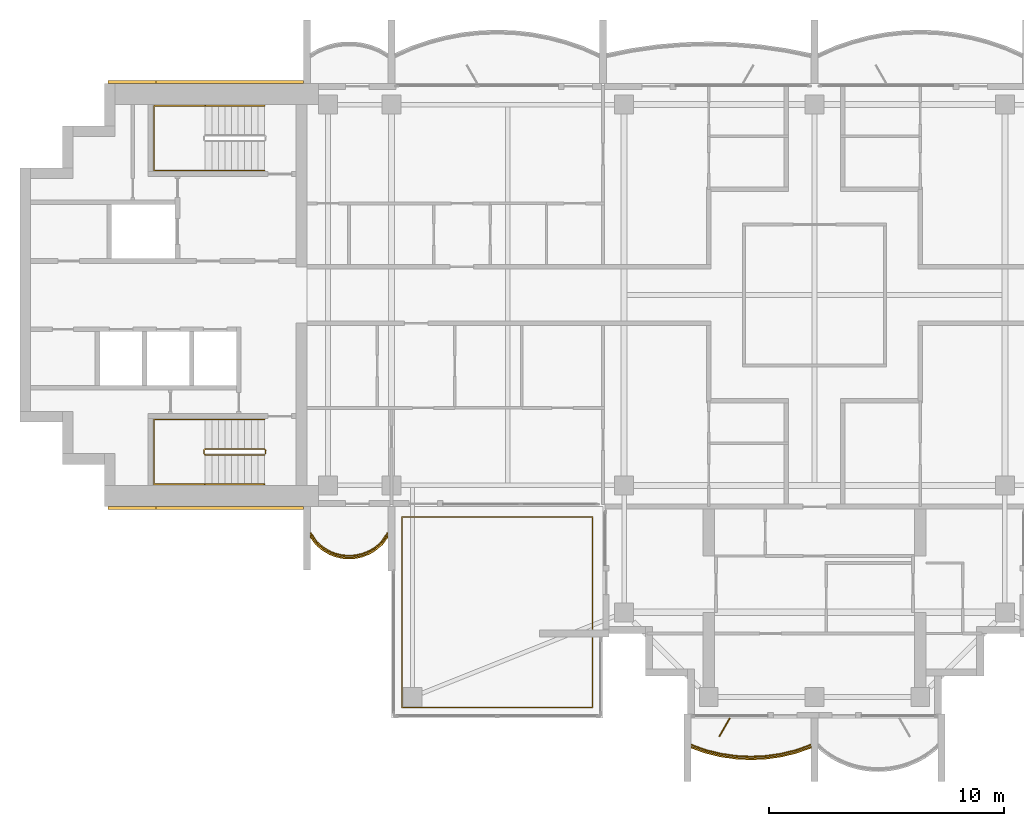
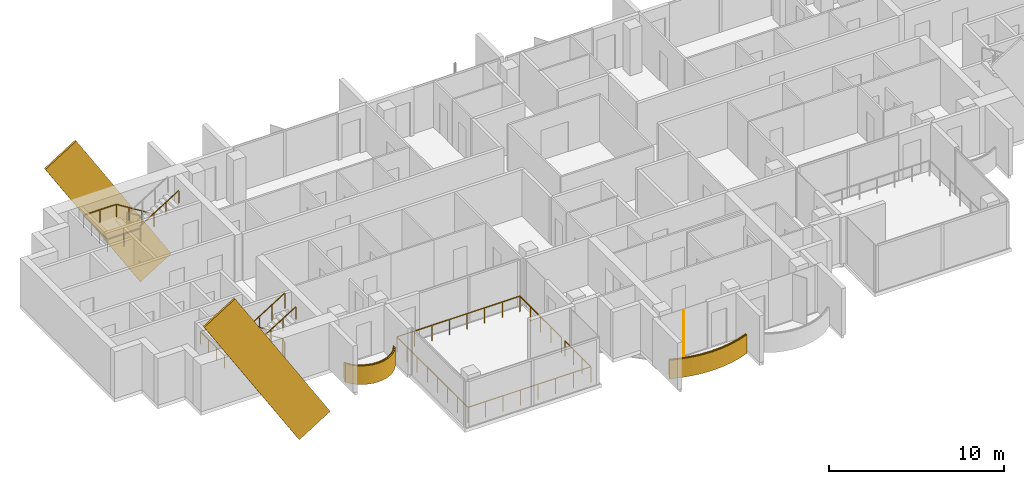
# One storey, part 13 of 16: 6 railings, 4 coverings, 1 shading device.
"""IFC4 building model written with IfcOpenShell, lengths in metres."""

from ifc_helpers import new_model, si_unit, direction, frame, origin, origin_2d, place, context, subcontext, project, spatial, polyline, rectangle, outline, extrude, material, layer, layer_set, material_profile, profile_set, type_object, element, save


model = new_model("IFC4")

# Units and contexts
model_context = context("Model", 3, precision=1e-05, world=origin(), true_north=direction((0.0, 1.0)))
body_context = subcontext(model_context, "Body", "Model", "MODEL_VIEW")
ifc_project = project(units=[si_unit("LENGTHUNIT", "METRE"), si_unit("AREAUNIT", "SQUARE_METRE"), si_unit("VOLUMEUNIT", "CUBIC_METRE"), si_unit("PLANEANGLEUNIT", "RADIAN"), si_unit("MASSUNIT", "GRAM", prefix="KILO")], contexts=[model_context])

# Site, building, storey
site_placement = place(None, origin())
site = spatial("IfcSite", under=ifc_project, at=site_placement, CompositionType="ELEMENT")
building_placement = place(site_placement, origin())
building = spatial("IfcBuilding", under=site, at=building_placement, Name="Perihelion Cross Residences", CompositionType="ELEMENT")
storey_placement = place(building_placement, frame((0.0, 0.0, 260.5)))
storey = spatial("IfcBuildingStorey", under=building, at=storey_placement, Name="L66", CompositionType="ELEMENT", Elevation=260.5)

# Coverings
ifc_material_1 = material(Name="Bronze anodised aluminium", Category="aluminium")
ifc_layer_1 = layer(ifc_material_1, 0.070068359375)
ifc_layer_set_1 = layer_set([ifc_layer_1], Name="Balcony fascia 1300")
covering_type_1 = type_object("IfcCoveringType", Name="Balcony fascia 1300", PredefinedType="CLADDING", material=ifc_layer_set_1)
covering_1_placement = place(storey_placement, frame((0.0, 0.0, -0.199951171875)))
element("IfcCovering", 1, at=covering_1_placement, inside=storey, type_object=covering_type_1, Name="Fascia BF1 L66 west side south bay 1", PredefinedType="CLADDING", context=body_context, shape_type="SweptSolid", body=[
    extrude(outline(polyline([(-21.226318359375, -10.616455078125), (-20.94091796875, -10.86328125), (-20.655517578125, -11.031494140625), (-20.370361328125, -11.142578125), (-20.085205078125, -11.206298828125), (-19.800048828125, -11.22705078125), (-19.514892578125, -11.206298828125), (-19.229736328125, -11.142578125), (-18.9443359375, -11.031494140625), (-18.6591796875, -10.86328125), (-18.373779296875, -10.616455078125), (-18.14990234375, -10.31689453125), (-18.14990234375, -10.199951171875), (-18.425048828125, -10.568603515625), (-18.699951171875, -10.806396484375), (-18.97509765625, -10.96875), (-19.25, -11.07568359375), (-19.52490234375, -11.136962890625), (-19.800048828125, -11.156982421875), (-20.074951171875, -11.136962890625), (-20.35009765625, -11.07568359375), (-20.625, -10.96875), (-20.89990234375, -10.806396484375), (-21.175048828125, -10.568603515625), (-21.449951171875, -10.199951171875), (-21.449951171875, -10.31689453125), (-21.226318359375, -10.616455078125)])), origin(), (0.0, 0.0, 1.0), 1.300048828125),
])
covering_2_placement = place(storey_placement, frame((0.0, 0.0, -0.199951171875)))
element("IfcCovering", 2, at=covering_2_placement, inside=storey, type_object=covering_type_1, Name="Fascia BF1 L66 south tip south bay 1", PredefinedType="CLADDING", context=body_context, shape_type="SweptSolid", body=[
    extrude(outline(polyline([(-4.63232421875, -19.49072265625), (-3.98828125, -19.647216796875), (-3.34423828125, -19.739501953125), (-2.699951171875, -19.77001953125), (-2.055908203125, -19.739501953125), (-1.411865234375, -19.647216796875), (-0.767578125, -19.49072265625), (-0.14990234375, -19.274169921875), (-0.14990234375, -19.199951171875), (-0.78759765625, -19.423583984375), (-1.425048828125, -19.57861328125), (-2.0625, -19.669921875), (-2.699951171875, -19.699951171875), (-3.33740234375, -19.669921875), (-3.97509765625, -19.57861328125), (-4.612548828125, -19.423583984375), (-5.25, -19.199951171875), (-5.25, -19.274169921875), (-4.63232421875, -19.49072265625)])), origin(), (0.0, 0.0, 1.0), 1.300048828125),
])

# Railings
ifc_material_2 = material(Name="Bronze anodised aluminium", Category="aluminium")
railing_type_1 = type_object("IfcRailingType", Name="Balcony guard 1100", PredefinedType="GUARDRAIL", material=ifc_material_2)
railing_1_placement = place(storey_placement, frame((-21.425048828125, -10.139892578125, 0.0)))
element("IfcRailing", 3, at=railing_1_placement, inside=storey, type_object=railing_type_1, Name="Guard GU1 L66 west side south bay 1 balcony", PredefinedType="GUARDRAIL", context=body_context, shape_type="SweptSolid", body=[
    extrude(rectangle(XDim=0.048095703125, YDim=0.048095703125, at=origin_2d()), frame((0.0, 0.0, 1.076171875), z_axis=(0.561260132269, -0.827639452857, 0.0), x_axis=(0.827639452857, 0.561260132269, 0.0)), (0.0, 0.0, 1.0), 0.4453125),
    extrude(rectangle(XDim=0.048095703125, YDim=0.048095703125, at=origin_2d()), frame((0.25, -0.36865234375, 1.076171875), z_axis=(0.756596535164, -0.653882009982, 0.0), x_axis=(0.653882009982, 0.756596535164, 0.0)), (0.0, 0.0, 1.0), 0.36376953125),
    extrude(rectangle(XDim=0.048095703125, YDim=0.048095703125, at=origin_2d()), frame((0.525146484375, -0.6064453125, 1.076171875), z_axis=(0.861048292884, -0.508523192511, 0.0), x_axis=(0.508523192511, 0.861048292884, 0.0)), (0.0, 0.0, 1.0), 0.3193359375),
    extrude(rectangle(XDim=0.048095703125, YDim=0.048095703125, at=origin_2d()), frame((0.800048828125, -0.768798828125, 1.076171875), z_axis=(0.931973602183, -0.362526143656, 0.0), x_axis=(0.362526143656, 0.931973602183, 0.0)), (0.0, 0.0, 1.0), 0.294921875),
    extrude(rectangle(XDim=0.048095703125, YDim=0.048095703125, at=origin_2d()), frame((1.074951171875, -0.875732421875, 1.076171875), z_axis=(0.976085059389, -0.21738895289, 0.0), x_axis=(0.21738895289, 0.976085059389, 0.0)), (0.0, 0.0, 1.0), 0.281982421875),
    extrude(rectangle(XDim=0.048095703125, YDim=0.048095703125, at=origin_2d()), frame((1.35009765625, -0.93701171875, 1.076171875), z_axis=(0.997358821833, -0.072631814734, 0.0), x_axis=(0.072631814734, 0.997358821833, 0.0)), (0.0, 0.0, 1.0), 0.275634765625),
    extrude(rectangle(XDim=0.048095703125, YDim=0.048095703125, at=origin_2d()), frame((1.625, -0.95703125, 1.076171875), z_axis=(0.997363488337, 0.072567707226, 0.0), x_axis=(-0.072567707226, 0.997363488337, 0.0)), (0.0, 0.0, 1.0), 0.27587890625),
    extrude(rectangle(XDim=0.048095703125, YDim=0.048095703125, at=origin_2d()), frame((1.900146484375, -0.93701171875, 1.076171875), z_axis=(0.976044077717, 0.217572880557, 0.0), x_axis=(-0.217572880557, 0.976044077717, 0.0)), (0.0, 0.0, 1.0), 0.28173828125),
    extrude(rectangle(XDim=0.048095703125, YDim=0.048095703125, at=origin_2d()), frame((2.175048828125, -0.875732421875, 1.076171875), z_axis=(0.931973602183, 0.362526143656, 0.0), x_axis=(-0.362526143656, 0.931973602183, 0.0)), (0.0, 0.0, 1.0), 0.294921875),
    extrude(rectangle(XDim=0.048095703125, YDim=0.048095703125, at=origin_2d()), frame((2.449951171875, -0.768798828125, 1.076171875), z_axis=(0.861245845072, 0.508188542123, 0.0), x_axis=(-0.508188542123, 0.861245845072, 0.0)), (0.0, 0.0, 1.0), 0.319580078125),
    extrude(rectangle(XDim=0.048095703125, YDim=0.048095703125, at=origin_2d()), frame((2.72509765625, -0.6064453125, 1.076171875), z_axis=(0.756309278473, 0.654214242658, 0.0), x_axis=(-0.654214242658, 0.756309278473, 0.0)), (0.0, 0.0, 1.0), 0.363525390625),
    extrude(rectangle(XDim=0.048095703125, YDim=0.048095703125, at=origin_2d()), frame((3.0, -0.36865234375, 1.076171875), z_axis=(0.561260132269, 0.827639452857, 0.0), x_axis=(-0.827639452857, 0.561260132269, 0.0)), (0.0, 0.0, 1.0), 0.4453125),
    extrude(rectangle(XDim=0.0419921875, YDim=0.0419921875, at=origin_2d()), origin(), (0.0, 0.0, 1.0), 1.052001953125),
    extrude(rectangle(XDim=0.0419921875, YDim=0.0419921875, at=origin_2d()), frame((0.25, -0.36865234375, 0.0)), (0.0, 0.0, 1.0), 1.052001953125),
    extrude(rectangle(XDim=0.0419921875, YDim=0.0419921875, at=origin_2d()), frame((0.525146484375, -0.6064453125, 0.0)), (0.0, 0.0, 1.0), 1.052001953125),
    extrude(rectangle(XDim=0.0419921875, YDim=0.0419921875, at=origin_2d()), frame((0.800048828125, -0.768798828125, 0.0)), (0.0, 0.0, 1.0), 1.052001953125),
    extrude(rectangle(XDim=0.0419921875, YDim=0.0419921875, at=origin_2d()), frame((1.074951171875, -0.875732421875, 0.0)), (0.0, 0.0, 1.0), 1.052001953125),
    extrude(rectangle(XDim=0.0419921875, YDim=0.0419921875, at=origin_2d()), frame((1.35009765625, -0.93701171875, 0.0)), (0.0, 0.0, 1.0), 1.052001953125),
    extrude(rectangle(XDim=0.0419921875, YDim=0.0419921875, at=origin_2d()), frame((1.625, -0.95703125, 0.0)), (0.0, 0.0, 1.0), 1.052001953125),
    extrude(rectangle(XDim=0.0419921875, YDim=0.0419921875, at=origin_2d()), frame((1.900146484375, -0.93701171875, 0.0)), (0.0, 0.0, 1.0), 1.052001953125),
    extrude(rectangle(XDim=0.0419921875, YDim=0.0419921875, at=origin_2d()), frame((2.175048828125, -0.875732421875, 0.0)), (0.0, 0.0, 1.0), 1.052001953125),
    extrude(rectangle(XDim=0.0419921875, YDim=0.0419921875, at=origin_2d()), frame((2.449951171875, -0.768798828125, 0.0)), (0.0, 0.0, 1.0), 1.052001953125),
    extrude(rectangle(XDim=0.0419921875, YDim=0.0419921875, at=origin_2d()), frame((2.72509765625, -0.6064453125, 0.0)), (0.0, 0.0, 1.0), 1.052001953125),
    extrude(rectangle(XDim=0.0419921875, YDim=0.0419921875, at=origin_2d()), frame((3.0, -0.36865234375, 0.0)), (0.0, 0.0, 1.0), 1.052001953125),
    extrude(rectangle(XDim=0.0419921875, YDim=0.0419921875, at=origin_2d()), frame((3.25, 0.0, 0.0)), (0.0, 0.0, 1.0), 1.052001953125),
])
railing_2_placement = place(storey_placement, frame((-5.22509765625, -19.139892578125, 0.0)))
element("IfcRailing", 4, at=railing_2_placement, inside=storey, type_object=railing_type_1, Name="Guard GU1 L66 south tip south bay 1 balcony", PredefinedType="GUARDRAIL", context=body_context, shape_type="SweptSolid", body=[
    extrude(rectangle(XDim=0.048095703125, YDim=0.048095703125, at=origin_2d()), frame((0.0, 0.0, 1.076171875), z_axis=(0.939355405384, -0.342945217749, 0.0), x_axis=(0.342945217749, 0.939355405384, 0.0)), (0.0, 0.0, 1.0), 0.652099609375),
    extrude(rectangle(XDim=0.048095703125, YDim=0.048095703125, at=origin_2d()), frame((0.612548828125, -0.2236328125, 1.076171875), z_axis=(0.971676841941, -0.236313594268, 0.0), x_axis=(0.236313594268, 0.971676841941, 0.0)), (0.0, 0.0, 1.0), 0.656005859375),
    extrude(rectangle(XDim=0.048095703125, YDim=0.048095703125, at=origin_2d()), frame((1.25, -0.378662109375, 1.076171875), z_axis=(0.989903964498, -0.141739694763, 0.0), x_axis=(0.141739694763, 0.989903964498, 0.0)), (0.0, 0.0, 1.0), 0.644287109375),
    extrude(rectangle(XDim=0.048095703125, YDim=0.048095703125, at=origin_2d()), frame((1.8876953125, -0.469970703125, 1.076171875), z_axis=(0.998892243319, -0.04705620296, 0.0), x_axis=(0.04705620296, 0.998892243319, 0.0)), (0.0, 0.0, 1.0), 0.63818359375),
    extrude(rectangle(XDim=0.048095703125, YDim=0.048095703125, at=origin_2d()), frame((2.525146484375, -0.5, 1.076171875), z_axis=(0.998892243319, 0.04705620296, 0.0), x_axis=(-0.04705620296, 0.998892243319, 0.0)), (0.0, 0.0, 1.0), 0.63818359375),
    extrude(rectangle(XDim=0.048095703125, YDim=0.048095703125, at=origin_2d()), frame((3.16259765625, -0.469970703125, 1.076171875), z_axis=(0.989896346386, 0.141792889142, 0.0), x_axis=(-0.141792889142, 0.989896346386, 0.0)), (0.0, 0.0, 1.0), 0.64404296875),
    extrude(rectangle(XDim=0.048095703125, YDim=0.048095703125, at=origin_2d()), frame((3.800048828125, -0.378662109375, 1.076171875), z_axis=(0.971676841941, 0.236313594268, 0.0), x_axis=(-0.236313594268, 0.971676841941, 0.0)), (0.0, 0.0, 1.0), 0.656005859375),
    extrude(rectangle(XDim=0.048095703125, YDim=0.048095703125, at=origin_2d()), frame((4.4375, -0.2236328125, 1.076171875), z_axis=(0.939355405384, 0.342945217749, 0.0), x_axis=(-0.342945217749, 0.939355405384, 0.0)), (0.0, 0.0, 1.0), 0.652099609375),
    extrude(rectangle(XDim=0.0419921875, YDim=0.0419921875, at=origin_2d()), origin(), (0.0, 0.0, 1.0), 1.052001953125),
    extrude(rectangle(XDim=0.0419921875, YDim=0.0419921875, at=origin_2d()), frame((0.612548828125, -0.2236328125, 0.0)), (0.0, 0.0, 1.0), 1.052001953125),
    extrude(rectangle(XDim=0.0419921875, YDim=0.0419921875, at=origin_2d()), frame((1.25, -0.378662109375, 0.0)), (0.0, 0.0, 1.0), 1.052001953125),
    extrude(rectangle(XDim=0.0419921875, YDim=0.0419921875, at=origin_2d()), frame((1.8876953125, -0.469970703125, 0.0)), (0.0, 0.0, 1.0), 1.052001953125),
    extrude(rectangle(XDim=0.0419921875, YDim=0.0419921875, at=origin_2d()), frame((2.525146484375, -0.5, 0.0)), (0.0, 0.0, 1.0), 1.052001953125),
    extrude(rectangle(XDim=0.0419921875, YDim=0.0419921875, at=origin_2d()), frame((3.16259765625, -0.469970703125, 0.0)), (0.0, 0.0, 1.0), 1.052001953125),
    extrude(rectangle(XDim=0.0419921875, YDim=0.0419921875, at=origin_2d()), frame((3.800048828125, -0.378662109375, 0.0)), (0.0, 0.0, 1.0), 1.052001953125),
    extrude(rectangle(XDim=0.0419921875, YDim=0.0419921875, at=origin_2d()), frame((4.4375, -0.2236328125, 0.0)), (0.0, 0.0, 1.0), 1.052001953125),
    extrude(rectangle(XDim=0.0419921875, YDim=0.0419921875, at=origin_2d()), frame((5.050048828125, 0.0, 0.0)), (0.0, 0.0, 1.0), 1.052001953125),
])
railing_3_placement = place(storey_placement, frame((-9.449951171875, -14.590087890625, 0.0)))
element("IfcRailing", 5, at=railing_3_placement, inside=storey, type_object=railing_type_1, Name="Guard GU1 L66 pocket south-west 1", PredefinedType="GUARDRAIL", context=body_context, shape_type="SweptSolid", body=[
    extrude(rectangle(XDim=0.048095703125, YDim=0.048095703125, at=origin_2d()), frame((0.0, 0.0, 1.076171875), z_axis=(0.0, -1.0, 0.0), x_axis=(1.0, 0.0, 0.0)), (0.0, 0.0, 1.0), 2.9599609375),
    extrude(rectangle(XDim=0.048095703125, YDim=0.048095703125, at=origin_2d()), frame((0.0, -2.9599609375, 1.076171875), z_axis=(-1.0, 0.0, 0.0), x_axis=(0.0, -1.0, 0.0)), (0.0, 0.0, 1.0), 8.10009765625),
    extrude(rectangle(XDim=0.048095703125, YDim=0.048095703125, at=origin_2d()), frame((-8.10009765625, -2.9599609375, 1.076171875), z_axis=(0.0, 1.0, 0.0), x_axis=(-1.0, 0.0, 0.0)), (0.0, 0.0, 1.0), 8.10009765625),
    extrude(rectangle(XDim=0.048095703125, YDim=0.048095703125, at=origin_2d()), frame((-8.10009765625, 5.14013671875, 1.076171875), z_axis=(1.0, 0.0, 0.0), x_axis=(0.0, 1.0, 0.0)), (0.0, 0.0, 1.0), 8.10009765625),
    extrude(rectangle(XDim=0.048095703125, YDim=0.048095703125, at=origin_2d()), frame((0.0, 5.14013671875, 1.076171875), z_axis=(0.0, -1.0, 0.0), x_axis=(1.0, 0.0, 0.0)), (0.0, 0.0, 1.0), 4.760009765625),
    extrude(rectangle(XDim=0.0419921875, YDim=0.0419921875, at=origin_2d()), origin(), (0.0, 0.0, 1.0), 1.052001953125),
    extrude(rectangle(XDim=0.0419921875, YDim=0.0419921875, at=origin_2d()), frame((0.0, -0.986572265625, 0.0)), (0.0, 0.0, 1.0), 1.052001953125),
    extrude(rectangle(XDim=0.0419921875, YDim=0.0419921875, at=origin_2d()), frame((0.0, -1.973388671875, 0.0)), (0.0, 0.0, 1.0), 1.052001953125),
    extrude(rectangle(XDim=0.0419921875, YDim=0.0419921875, at=origin_2d()), frame((0.0, -2.9599609375, 0.0)), (0.0, 0.0, 1.0), 1.052001953125),
    extrude(rectangle(XDim=0.0419921875, YDim=0.0419921875, at=origin_2d()), frame((-1.1572265625, -2.9599609375, 0.0)), (0.0, 0.0, 1.0), 1.052001953125),
    extrude(rectangle(XDim=0.0419921875, YDim=0.0419921875, at=origin_2d()), frame((-2.314208984375, -2.9599609375, 0.0)), (0.0, 0.0, 1.0), 1.052001953125),
    extrude(rectangle(XDim=0.0419921875, YDim=0.0419921875, at=origin_2d()), frame((-3.471435546875, -2.9599609375, 0.0)), (0.0, 0.0, 1.0), 1.052001953125),
    extrude(rectangle(XDim=0.0419921875, YDim=0.0419921875, at=origin_2d()), frame((-4.628662109375, -2.9599609375, 0.0)), (0.0, 0.0, 1.0), 1.052001953125),
    extrude(rectangle(XDim=0.0419921875, YDim=0.0419921875, at=origin_2d()), frame((-5.785888671875, -2.9599609375, 0.0)), (0.0, 0.0, 1.0), 1.052001953125),
    extrude(rectangle(XDim=0.0419921875, YDim=0.0419921875, at=origin_2d()), frame((-6.94287109375, -2.9599609375, 0.0)), (0.0, 0.0, 1.0), 1.052001953125),
    extrude(rectangle(XDim=0.0419921875, YDim=0.0419921875, at=origin_2d()), frame((-8.10009765625, -2.9599609375, 0.0)), (0.0, 0.0, 1.0), 1.052001953125),
    extrude(rectangle(XDim=0.0419921875, YDim=0.0419921875, at=origin_2d()), frame((-8.10009765625, -1.802734375, 0.0)), (0.0, 0.0, 1.0), 1.052001953125),
    extrude(rectangle(XDim=0.0419921875, YDim=0.0419921875, at=origin_2d()), frame((-8.10009765625, -0.645751953125, 0.0)), (0.0, 0.0, 1.0), 1.052001953125),
    extrude(rectangle(XDim=0.0419921875, YDim=0.0419921875, at=origin_2d()), frame((-8.10009765625, 0.511474609375, 0.0)), (0.0, 0.0, 1.0), 1.052001953125),
    extrude(rectangle(XDim=0.0419921875, YDim=0.0419921875, at=origin_2d()), frame((-8.10009765625, 1.668701171875, 0.0)), (0.0, 0.0, 1.0), 1.052001953125),
    extrude(rectangle(XDim=0.0419921875, YDim=0.0419921875, at=origin_2d()), frame((-8.10009765625, 2.825927734375, 0.0)), (0.0, 0.0, 1.0), 1.052001953125),
    extrude(rectangle(XDim=0.0419921875, YDim=0.0419921875, at=origin_2d()), frame((-8.10009765625, 3.98291015625, 0.0)), (0.0, 0.0, 1.0), 1.052001953125),
    extrude(rectangle(XDim=0.0419921875, YDim=0.0419921875, at=origin_2d()), frame((-8.10009765625, 5.14013671875, 0.0)), (0.0, 0.0, 1.0), 1.052001953125),
    extrude(rectangle(XDim=0.0419921875, YDim=0.0419921875, at=origin_2d()), frame((-6.94287109375, 5.14013671875, 0.0)), (0.0, 0.0, 1.0), 1.052001953125),
    extrude(rectangle(XDim=0.0419921875, YDim=0.0419921875, at=origin_2d()), frame((-5.785888671875, 5.14013671875, 0.0)), (0.0, 0.0, 1.0), 1.052001953125),
    extrude(rectangle(XDim=0.0419921875, YDim=0.0419921875, at=origin_2d()), frame((-4.628662109375, 5.14013671875, 0.0)), (0.0, 0.0, 1.0), 1.052001953125),
    extrude(rectangle(XDim=0.0419921875, YDim=0.0419921875, at=origin_2d()), frame((-3.471435546875, 5.14013671875, 0.0)), (0.0, 0.0, 1.0), 1.052001953125),
    extrude(rectangle(XDim=0.0419921875, YDim=0.0419921875, at=origin_2d()), frame((-2.314208984375, 5.14013671875, 0.0)), (0.0, 0.0, 1.0), 1.052001953125),
    extrude(rectangle(XDim=0.0419921875, YDim=0.0419921875, at=origin_2d()), frame((-1.1572265625, 5.14013671875, 0.0)), (0.0, 0.0, 1.0), 1.052001953125),
    extrude(rectangle(XDim=0.0419921875, YDim=0.0419921875, at=origin_2d()), frame((0.0, 5.14013671875, 0.0)), (0.0, 0.0, 1.0), 1.052001953125),
    extrude(rectangle(XDim=0.0419921875, YDim=0.0419921875, at=origin_2d()), frame((0.0, 3.9501953125, 0.0)), (0.0, 0.0, 1.0), 1.052001953125),
    extrude(rectangle(XDim=0.0419921875, YDim=0.0419921875, at=origin_2d()), frame((0.0, 2.76025390625, 0.0)), (0.0, 0.0, 1.0), 1.052001953125),
    extrude(rectangle(XDim=0.0419921875, YDim=0.0419921875, at=origin_2d()), frame((0.0, 1.570068359375, 0.0)), (0.0, 0.0, 1.0), 1.052001953125),
    extrude(rectangle(XDim=0.0419921875, YDim=0.0419921875, at=origin_2d()), frame((0.0, 0.380126953125, 0.0)), (0.0, 0.0, 1.0), 1.052001953125),
])

# Coverings
ifc_material_3 = material(Name="Bronze anodised aluminium", Category="aluminium")
ifc_material_profile = material_profile(ifc_material_3, rectangle(XDim=0.125, YDim=2.39990234375, at=origin_2d()), Name="Bronze cladding band 2400")
ifc_profile_set = profile_set([ifc_material_profile], Name="Bronze anodised aluminium")
covering_type_2 = type_object("IfcCoveringType", Name="Bronze cladding band 2400", PredefinedType="CLADDING", material=ifc_profile_set)
for number, where, z_axis, x_axis, name in (
    (6, (-22.767578125, 9.0625, -3.47119140625), (-0.529915403603, 0.0, 0.848050508534), (0.0, -1.0, 0.0), "Core cladding band, west core"),
    (7, (-22.767578125, -9.0625, -3.47119140625), (-0.529915403603, 0.0, 0.848050508534), (0.0, -1.0, 0.0), "Core cladding band, west core"),
):
    element("IfcCovering", number, at=place(storey_placement, frame(where, z_axis=z_axis, x_axis=x_axis)), inside=storey, type_object=covering_type_2, Name=name, PredefinedType="CLADDING", context=body_context, shape_type="SweptSolid", body=[
        extrude(rectangle(XDim=0.125, YDim=2.39990234375, at=origin_2d()), origin(), (0.0, 0.0, 1.0), 11.822021484375),
    ])

# Shading device
ifc_material_4 = material(Name="Bronze anodised aluminium", Category="aluminium")
ifc_layer_2 = layer(ifc_material_4, 0.050048828125)
ifc_layer_set_2 = layer_set([ifc_layer_2], Name="Bronze fin 900")
shading_device_type = type_object("IfcShadingDeviceType", Name="Bronze fin 900", PredefinedType="USERDEFINED", material=ifc_layer_set_2)
shading_device_placement = place(storey_placement, frame((-3.824951171875, -18.3896484375, 0.0), z_axis=(0.0, 0.0, 1.0), x_axis=(-0.5, -0.866025403784, 0.0)))
element("IfcShadingDevice", 8, at=shading_device_placement, inside=storey, type_object=shading_device_type, Name="Fin FN1 L66 south tip south bay 1", ObjectType="FIN", PredefinedType="USERDEFINED", context=body_context, shape_type="SweptSolid", body=[
    extrude(rectangle(XDim=0.89990234375, YDim=0.050048828125, at=origin_2d()), origin(), (0.0, 0.0, 1.0), 3.25),
])

# Railings
ifc_material_5 = material(Name="Stainless steel", Category="steel")
railing_type_2 = type_object("IfcRailingType", Name="Stair guard 1100", PredefinedType="GUARDRAIL", material=ifc_material_5)
railing_4_placement = place(storey_placement, frame((-23.35009765625, -6.75, 0.0)))
element("IfcRailing", 9, at=railing_4_placement, inside=storey, type_object=railing_type_2, Name="L66 ST-W2 stair guard 1", PredefinedType="GUARDRAIL", context=body_context, shape_type="SweptSolid", body=[
    extrude(rectangle(XDim=0.048095703125, YDim=0.048095703125, at=origin_2d()), frame((0.0, 0.0, 1.076171875), z_axis=(0.0, 1.0, 0.0), x_axis=(-1.0, 0.0, 0.0)), (0.0, 0.0, 1.0), 0.14990234375),
    extrude(rectangle(XDim=0.048095703125, YDim=0.048095703125, at=origin_2d()), frame((0.0, 0.14990234375, 1.076171875), z_axis=(-0.263862480399, 0.265155923931, 0.927399011991), x_axis=(-0.708833529934, -0.705375805398, 0.0)), (0.0, 0.0, 1.0), 0.188720703125),
    extrude(rectangle(XDim=0.048095703125, YDim=0.048095703125, at=origin_2d()), frame((-0.0498046875, 0.199951171875, 1.2509765625), z_axis=(-0.848007534815, 0.0, 0.529984170421), x_axis=(0.0, -1.0, 0.0)), (0.0, 0.0, 1.0), 2.9716796875),
    extrude(rectangle(XDim=0.048095703125, YDim=0.048095703125, at=origin_2d()), frame((-2.56982421875, 0.199951171875, 2.826171875), z_axis=(-0.707106781187, -0.707106781187, 0.0), x_axis=(0.707106781187, -0.707106781187, 0.0)), (0.0, 0.0, 1.0), 0.07080078125),
    extrude(rectangle(XDim=0.048095703125, YDim=0.048095703125, at=origin_2d()), frame((-2.619873046875, 0.14990234375, 2.826171875), z_axis=(0.0, -1.0, 0.0), x_axis=(1.0, 0.0, 0.0)), (0.0, 0.0, 1.0), 0.14990234375),
    extrude(rectangle(XDim=0.048095703125, YDim=0.048095703125, at=origin_2d()), frame((-2.619873046875, 0.0, 2.826171875), z_axis=(0.265065253269, -0.265065253269, 0.927081885822), x_axis=(0.707106781187, 0.707106781187, 0.0)), (0.0, 0.0, 1.0), 0.188720703125),
    extrude(rectangle(XDim=0.048095703125, YDim=0.048095703125, at=origin_2d()), frame((-2.56982421875, -0.050048828125, 3.0009765625), z_axis=(0.848007534815, 0.0, 0.529984170421), x_axis=(0.0, 1.0, 0.0)), (0.0, 0.0, 1.0), 2.9716796875),
    extrude(rectangle(XDim=0.0419921875, YDim=0.0419921875, at=origin_2d()), origin(), (0.0, 0.0, 1.0), 1.052001953125),
    extrude(rectangle(XDim=0.0419921875, YDim=0.0419921875, at=origin_2d()), frame((0.0, 0.14990234375, 0.0)), (0.0, 0.0, 1.0), 1.052001953125),
    extrude(rectangle(XDim=0.0419921875, YDim=0.0419921875, at=origin_2d()), frame((-0.0498046875, 0.199951171875, 0.175048828125)), (0.0, 0.0, 1.0), 1.052001953125),
    extrude(rectangle(XDim=0.0419921875, YDim=0.0419921875, at=origin_2d()), frame((-0.889892578125, 0.199951171875, 0.699951171875)), (0.0, 0.0, 1.0), 1.052001953125),
    extrude(rectangle(XDim=0.0419921875, YDim=0.0419921875, at=origin_2d()), frame((-1.729736328125, 0.199951171875, 1.22509765625)), (0.0, 0.0, 1.0), 1.052001953125),
    extrude(rectangle(XDim=0.0419921875, YDim=0.0419921875, at=origin_2d()), frame((-2.56982421875, 0.199951171875, 1.75)), (0.0, 0.0, 1.0), 1.052001953125),
    extrude(rectangle(XDim=0.0419921875, YDim=0.0419921875, at=origin_2d()), frame((-2.619873046875, 0.14990234375, 1.75)), (0.0, 0.0, 1.0), 1.052001953125),
    extrude(rectangle(XDim=0.0419921875, YDim=0.0419921875, at=origin_2d()), frame((-2.619873046875, 0.0, 1.75)), (0.0, 0.0, 1.0), 1.052001953125),
    extrude(rectangle(XDim=0.0419921875, YDim=0.0419921875, at=origin_2d()), frame((-2.56982421875, -0.050048828125, 1.925048828125)), (0.0, 0.0, 1.0), 1.052001953125),
    extrude(rectangle(XDim=0.0419921875, YDim=0.0419921875, at=origin_2d()), frame((-1.729736328125, -0.050048828125, 2.449951171875)), (0.0, 0.0, 1.0), 1.052001953125),
    extrude(rectangle(XDim=0.0419921875, YDim=0.0419921875, at=origin_2d()), frame((-0.889892578125, -0.050048828125, 2.97509765625)), (0.0, 0.0, 1.0), 1.052001953125),
    extrude(rectangle(XDim=0.0419921875, YDim=0.0419921875, at=origin_2d()), frame((-0.0498046875, -0.050048828125, 3.5)), (0.0, 0.0, 1.0), 1.052001953125),
])
ifc_material_6 = material(Name="Stainless steel", Category="steel")
railing_type_3 = type_object("IfcRailingType", Name="Stair handrail 900", PredefinedType="HANDRAIL", material=ifc_material_6)
railing_5_placement = place(storey_placement, frame((-23.39990234375, 8.050048828125, 0.175048828125)))
element("IfcRailing", 10, at=railing_5_placement, inside=storey, type_object=railing_type_3, Name="L66 ST-W1 stair handrail 1", PredefinedType="HANDRAIL", context=body_context, shape_type="SweptSolid", body=[
    extrude(rectangle(XDim=0.048095703125, YDim=0.048095703125, at=origin_2d()), frame((0.0, 0.0, 0.8759765625), z_axis=(-0.848007534815, 0.0, 0.529984170421), x_axis=(0.0, -1.0, 0.0)), (0.0, 0.0, 1.0), 2.9716796875),
    extrude(rectangle(XDim=0.048095703125, YDim=0.048095703125, at=origin_2d()), frame((-2.52001953125, 0.0, 2.45068359375), z_axis=(-1.0, 0.0, 0.0), x_axis=(0.0, -1.0, 0.0)), (0.0, 0.0, 1.0), 2.18017578125),
    extrude(rectangle(XDim=0.048095703125, YDim=0.048095703125, at=origin_2d()), frame((-4.7001953125, 0.0, 2.45068359375), z_axis=(0.0, -1.0, 0.0), x_axis=(1.0, 0.0, 0.0)), (0.0, 0.0, 1.0), 2.75),
    extrude(rectangle(XDim=0.048095703125, YDim=0.048095703125, at=origin_2d()), frame((-4.7001953125, -2.75, 2.45068359375), z_axis=(1.0, 0.0, 0.0), x_axis=(0.0, 1.0, 0.0)), (0.0, 0.0, 1.0), 2.18017578125),
    extrude(rectangle(XDim=0.048095703125, YDim=0.048095703125, at=origin_2d()), frame((-2.52001953125, -2.75, 2.45068359375), z_axis=(0.0, 0.0, 1.0), x_axis=(1.0, 0.0, 0.0)), (0.0, 0.0, 1.0), 0.175048828125),
    extrude(rectangle(XDim=0.048095703125, YDim=0.048095703125, at=origin_2d()), frame((-2.52001953125, -2.75, 2.6259765625), z_axis=(0.848007534815, 0.0, 0.529984170421), x_axis=(0.0, 1.0, 0.0)), (0.0, 0.0, 1.0), 2.9716796875),
    extrude(rectangle(XDim=0.0419921875, YDim=0.0419921875, at=origin_2d()), origin(), (0.0, 0.0, 1.0), 0.851806640625),
    extrude(rectangle(XDim=0.0419921875, YDim=0.0419921875, at=origin_2d()), frame((-0.840087890625, 0.0, 0.52490234375)), (0.0, 0.0, 1.0), 0.851806640625),
    extrude(rectangle(XDim=0.0419921875, YDim=0.0419921875, at=origin_2d()), frame((-1.679931640625, 0.0, 1.050048828125)), (0.0, 0.0, 1.0), 0.851806640625),
    extrude(rectangle(XDim=0.0419921875, YDim=0.0419921875, at=origin_2d()), frame((-2.52001953125, 0.0, 1.574951171875)), (0.0, 0.0, 1.0), 0.851806640625),
    extrude(rectangle(XDim=0.0419921875, YDim=0.0419921875, at=origin_2d()), frame((-3.610107421875, 0.0, 1.574951171875)), (0.0, 0.0, 1.0), 0.851806640625),
    extrude(rectangle(XDim=0.0419921875, YDim=0.0419921875, at=origin_2d()), frame((-4.7001953125, 0.0, 1.574951171875)), (0.0, 0.0, 1.0), 0.851806640625),
    extrude(rectangle(XDim=0.0419921875, YDim=0.0419921875, at=origin_2d()), frame((-4.7001953125, -0.916748046875, 1.574951171875)), (0.0, 0.0, 1.0), 0.851806640625),
    extrude(rectangle(XDim=0.0419921875, YDim=0.0419921875, at=origin_2d()), frame((-4.7001953125, -1.833251953125, 1.574951171875)), (0.0, 0.0, 1.0), 0.851806640625),
    extrude(rectangle(XDim=0.0419921875, YDim=0.0419921875, at=origin_2d()), frame((-4.7001953125, -2.75, 1.574951171875)), (0.0, 0.0, 1.0), 0.851806640625),
    extrude(rectangle(XDim=0.0419921875, YDim=0.0419921875, at=origin_2d()), frame((-3.610107421875, -2.75, 1.574951171875)), (0.0, 0.0, 1.0), 0.851806640625),
    extrude(rectangle(XDim=0.0419921875, YDim=0.0419921875, at=origin_2d()), frame((-2.52001953125, -2.75, 1.574951171875)), (0.0, 0.0, 1.0), 0.851806640625),
    extrude(rectangle(XDim=0.0419921875, YDim=0.0419921875, at=origin_2d()), frame((-2.52001953125, -2.75, 1.75)), (0.0, 0.0, 1.0), 0.851806640625),
    extrude(rectangle(XDim=0.0419921875, YDim=0.0419921875, at=origin_2d()), frame((-1.679931640625, -2.75, 2.27490234375)), (0.0, 0.0, 1.0), 0.851806640625),
    extrude(rectangle(XDim=0.0419921875, YDim=0.0419921875, at=origin_2d()), frame((-0.840087890625, -2.75, 2.800048828125)), (0.0, 0.0, 1.0), 0.851806640625),
    extrude(rectangle(XDim=0.0419921875, YDim=0.0419921875, at=origin_2d()), frame((0.0, -2.75, 3.324951171875)), (0.0, 0.0, 1.0), 0.851806640625),
])
railing_6_placement = place(storey_placement, frame((-23.39990234375, -5.300048828125, 0.175048828125)))
element("IfcRailing", 11, at=railing_6_placement, inside=storey, type_object=railing_type_3, Name="L66 ST-W2 stair handrail 1", PredefinedType="HANDRAIL", context=body_context, shape_type="SweptSolid", body=[
    extrude(rectangle(XDim=0.048095703125, YDim=0.048095703125, at=origin_2d()), frame((0.0, 0.0, 0.8759765625), z_axis=(-0.848007534815, 0.0, 0.529984170421), x_axis=(0.0, -1.0, 0.0)), (0.0, 0.0, 1.0), 2.9716796875),
    extrude(rectangle(XDim=0.048095703125, YDim=0.048095703125, at=origin_2d()), frame((-2.52001953125, 0.0, 2.45068359375), z_axis=(-1.0, 0.0, 0.0), x_axis=(0.0, -1.0, 0.0)), (0.0, 0.0, 1.0), 2.18017578125),
    extrude(rectangle(XDim=0.048095703125, YDim=0.048095703125, at=origin_2d()), frame((-4.7001953125, 0.0, 2.45068359375), z_axis=(0.0, -1.0, 0.0), x_axis=(1.0, 0.0, 0.0)), (0.0, 0.0, 1.0), 2.75),
    extrude(rectangle(XDim=0.048095703125, YDim=0.048095703125, at=origin_2d()), frame((-4.7001953125, -2.75, 2.45068359375), z_axis=(1.0, 0.0, 0.0), x_axis=(0.0, 1.0, 0.0)), (0.0, 0.0, 1.0), 2.18017578125),
    extrude(rectangle(XDim=0.048095703125, YDim=0.048095703125, at=origin_2d()), frame((-2.52001953125, -2.75, 2.45068359375), z_axis=(0.0, 0.0, 1.0), x_axis=(1.0, 0.0, 0.0)), (0.0, 0.0, 1.0), 0.175048828125),
    extrude(rectangle(XDim=0.048095703125, YDim=0.048095703125, at=origin_2d()), frame((-2.52001953125, -2.75, 2.6259765625), z_axis=(0.848007534815, 0.0, 0.529984170421), x_axis=(0.0, 1.0, 0.0)), (0.0, 0.0, 1.0), 2.9716796875),
    extrude(rectangle(XDim=0.0419921875, YDim=0.0419921875, at=origin_2d()), origin(), (0.0, 0.0, 1.0), 0.851806640625),
    extrude(rectangle(XDim=0.0419921875, YDim=0.0419921875, at=origin_2d()), frame((-0.840087890625, 0.0, 0.52490234375)), (0.0, 0.0, 1.0), 0.851806640625),
    extrude(rectangle(XDim=0.0419921875, YDim=0.0419921875, at=origin_2d()), frame((-1.679931640625, 0.0, 1.050048828125)), (0.0, 0.0, 1.0), 0.851806640625),
    extrude(rectangle(XDim=0.0419921875, YDim=0.0419921875, at=origin_2d()), frame((-2.52001953125, 0.0, 1.574951171875)), (0.0, 0.0, 1.0), 0.851806640625),
    extrude(rectangle(XDim=0.0419921875, YDim=0.0419921875, at=origin_2d()), frame((-3.610107421875, 0.0, 1.574951171875)), (0.0, 0.0, 1.0), 0.851806640625),
    extrude(rectangle(XDim=0.0419921875, YDim=0.0419921875, at=origin_2d()), frame((-4.7001953125, 0.0, 1.574951171875)), (0.0, 0.0, 1.0), 0.851806640625),
    extrude(rectangle(XDim=0.0419921875, YDim=0.0419921875, at=origin_2d()), frame((-4.7001953125, -0.916748046875, 1.574951171875)), (0.0, 0.0, 1.0), 0.851806640625),
    extrude(rectangle(XDim=0.0419921875, YDim=0.0419921875, at=origin_2d()), frame((-4.7001953125, -1.833251953125, 1.574951171875)), (0.0, 0.0, 1.0), 0.851806640625),
    extrude(rectangle(XDim=0.0419921875, YDim=0.0419921875, at=origin_2d()), frame((-4.7001953125, -2.75, 1.574951171875)), (0.0, 0.0, 1.0), 0.851806640625),
    extrude(rectangle(XDim=0.0419921875, YDim=0.0419921875, at=origin_2d()), frame((-3.610107421875, -2.75, 1.574951171875)), (0.0, 0.0, 1.0), 0.851806640625),
    extrude(rectangle(XDim=0.0419921875, YDim=0.0419921875, at=origin_2d()), frame((-2.52001953125, -2.75, 1.574951171875)), (0.0, 0.0, 1.0), 0.851806640625),
    extrude(rectangle(XDim=0.0419921875, YDim=0.0419921875, at=origin_2d()), frame((-2.52001953125, -2.75, 1.75)), (0.0, 0.0, 1.0), 0.851806640625),
    extrude(rectangle(XDim=0.0419921875, YDim=0.0419921875, at=origin_2d()), frame((-1.679931640625, -2.75, 2.27490234375)), (0.0, 0.0, 1.0), 0.851806640625),
    extrude(rectangle(XDim=0.0419921875, YDim=0.0419921875, at=origin_2d()), frame((-0.840087890625, -2.75, 2.800048828125)), (0.0, 0.0, 1.0), 0.851806640625),
    extrude(rectangle(XDim=0.0419921875, YDim=0.0419921875, at=origin_2d()), frame((0.0, -2.75, 3.324951171875)), (0.0, 0.0, 1.0), 0.851806640625),
])

save(model, "model.ifc")
